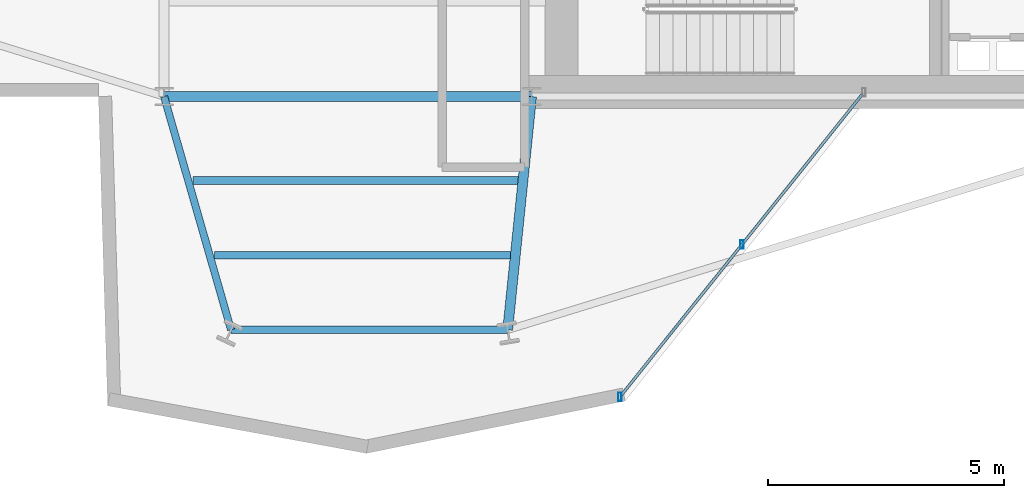
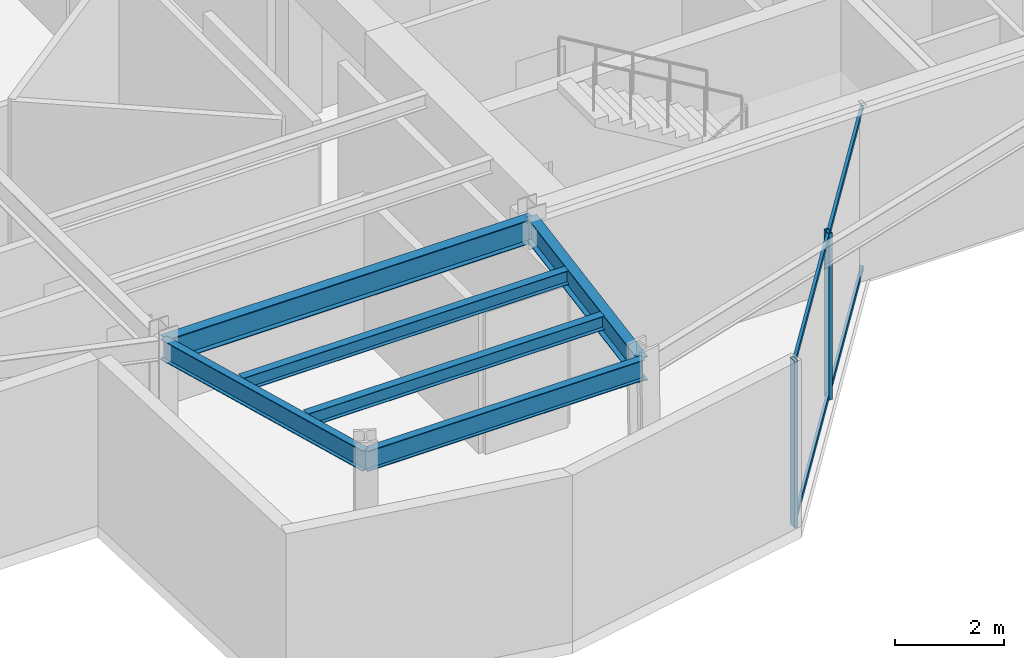
# One storey, part 5 of 23: 6 beams, 4 members, 1 element without a shape of its own.
"""IFC4 building model written with IfcOpenShell, lengths in metres."""

from ifc_helpers import new_model, si_unit, direction, frame, origin, origin_2d, place, context, subcontext, project, spatial, hollow_rectangle, i_section, extrude, material, layer, layer_set, material_profile, profile_set, type_object, element, aggregate, save


model = new_model("IFC4")

# Units and contexts
model_context = context("Model", 3, precision=1e-05, world=origin(), true_north=direction((0.0, 1.0)))
body_context = subcontext(model_context, "Body", "Model", "MODEL_VIEW")
ifc_project = project(units=[si_unit("LENGTHUNIT", "METRE"), si_unit("AREAUNIT", "SQUARE_METRE"), si_unit("VOLUMEUNIT", "CUBIC_METRE"), si_unit("PLANEANGLEUNIT", "RADIAN"), si_unit("MASSUNIT", "GRAM", prefix="KILO")], contexts=[model_context])

# Site, building, storey
site_placement = place(None, origin())
site = spatial("IfcSite", under=ifc_project, at=site_placement, CompositionType="ELEMENT")
building_placement = place(site_placement, origin())
building = spatial("IfcBuilding", under=site, at=building_placement, Name="Veymaron Broadcast Tower", CompositionType="ELEMENT")
storey_placement = place(building_placement, frame((0.0, 0.0, 252.60009765625)))
storey = spatial("IfcBuildingStorey", under=building, at=storey_placement, Name="L59", CompositionType="ELEMENT", Elevation=252.60009765625)

# Beams
ifc_material_1 = material(Name="Structural steel ASTM A992 Gr 50", Category="steel")
ifc_material_profile_1 = material_profile(ifc_material_1, i_section(OverallWidth=0.2099609375, OverallDepth=0.537109375, WebThickness=0.010986328125, FlangeThickness=0.017333984375, at=origin_2d()), Name="W530X101")
ifc_profile_set_1 = profile_set([ifc_material_profile_1], Name="Structural steel ASTM A992 Gr 50")
beam_type_1 = type_object("IfcBeamType", Name="BM-FG3", PredefinedType="BEAM", material=ifc_profile_set_1)
beam_1_placement = place(storey_placement, frame((31.199951171875, 16.0, 3.46142578125), z_axis=(1.0, 0.0, 0.0), x_axis=(0.0, 1.0, 0.0)))
element("IfcBeam", 1, at=beam_1_placement, inside=storey, type_object=beam_type_1, Name="L59 primary structural floor girder", PredefinedType="BEAM", context=body_context, shape_type="SweptSolid", body=[
    extrude(i_section(OverallWidth=0.2099609375, OverallDepth=0.537109375, WebThickness=0.010986328125, FlangeThickness=0.017333984375, at=origin_2d()), origin(), (0.0, 0.0, 1.0), 7.800048828125),
])
beam_2_placement = place(storey_placement, frame((39.0, 16.0, 3.46142578125), z_axis=(-0.102062466152, -0.994777991817, 0.0), x_axis=(0.994777991817, -0.102062466152, 0.0)))
element("IfcBeam", 2, at=beam_2_placement, inside=storey, type_object=beam_type_1, Name="L59 primary structural floor girder", PredefinedType="BEAM", context=body_context, shape_type="SweptSolid", body=[
    extrude(i_section(OverallWidth=0.2099609375, OverallDepth=0.537109375, WebThickness=0.010986328125, FlangeThickness=0.017333984375, at=origin_2d()), origin(), (0.0, 0.0, 1.0), 4.977783203125),
])
ifc_material_profile_2 = material_profile(ifc_material_1, i_section(OverallWidth=0.1650390625, OverallDepth=0.31005859375, WebThickness=0.005859375, FlangeThickness=0.009765625, at=origin_2d()), Name="W310X39")
ifc_profile_set_2 = profile_set([ifc_material_profile_2], Name="Structural steel ASTM A992 Gr 50")
beam_type_2 = type_object("IfcBeamType", Name="BM-JS3", PredefinedType="JOIST", material=ifc_profile_set_2)
beam_3_placement = place(storey_placement, frame((31.81201171875, 14.21728515625, 3.574951171875), z_axis=(1.0, 0.0, 0.0), x_axis=(0.0, 1.0, 0.0)))
element("IfcBeam", 3, at=beam_3_placement, inside=storey, type_object=beam_type_2, Name="L59 Arm-C secondary joist 1", PredefinedType="JOIST", context=body_context, shape_type="SweptSolid", body=[
    extrude(i_section(OverallWidth=0.1650390625, OverallDepth=0.31005859375, WebThickness=0.005859375, FlangeThickness=0.009765625, at=origin_2d()), origin(), (0.0, 0.0, 1.0), 6.905029296875),
])
beam_4_placement = place(storey_placement, frame((32.26708984375, 12.632568359375, 3.574951171875), z_axis=(1.0, 0.0, 0.0), x_axis=(0.0, 1.0, 0.0)))
element("IfcBeam", 4, at=beam_4_placement, inside=storey, type_object=beam_type_2, Name="L59 Arm-C secondary joist 2", PredefinedType="JOIST", context=body_context, shape_type="SweptSolid", body=[
    extrude(i_section(OverallWidth=0.1650390625, OverallDepth=0.31005859375, WebThickness=0.005859375, FlangeThickness=0.009765625, at=origin_2d()), origin(), (0.0, 0.0, 1.0), 6.28759765625),
])
ifc_material_profile_3 = material_profile(ifc_material_1, i_section(OverallWidth=0.154052734375, OverallDepth=0.458984375, WebThickness=0.009033203125, FlangeThickness=0.015380859375, at=origin_2d()), Name="W460X68")
ifc_profile_set_3 = profile_set([ifc_material_profile_3], Name="Structural steel ASTM A992 Gr 50")
beam_type_3 = type_object("IfcBeamType", Name="BM-SP2", PredefinedType="SPANDREL", material=ifc_profile_set_3)
beam_5_placement = place(storey_placement, frame((31.199951171875, 16.0, 3.50048828125), z_axis=(0.276072707657, -0.961136754103, 0.0), x_axis=(0.961136754103, 0.276072707657, 0.0)))
element("IfcBeam", 5, at=beam_5_placement, inside=storey, type_object=beam_type_3, Name="L59 primary structural floor girder", PredefinedType="SPANDREL", context=body_context, shape_type="SweptSolid", body=[
    extrude(i_section(OverallWidth=0.154052734375, OverallDepth=0.458984375, WebThickness=0.009033203125, FlangeThickness=0.015380859375, at=origin_2d()), origin(), (0.0, 0.0, 1.0), 5.152099609375),
])
beam_6_placement = place(storey_placement, frame((32.622314453125, 11.048095703125, 3.50048828125), z_axis=(1.0, 0.0, 0.0), x_axis=(0.0, 1.0, 0.0)))
element("IfcBeam", 6, at=beam_6_placement, inside=storey, type_object=beam_type_3, Name="L59 primary structural floor girder", PredefinedType="SPANDREL", context=body_context, shape_type="SweptSolid", body=[
    extrude(i_section(OverallWidth=0.154052734375, OverallDepth=0.458984375, WebThickness=0.009033203125, FlangeThickness=0.015380859375, at=origin_2d()), origin(), (0.0, 0.0, 1.0), 5.86962890625),
])

# Curtain wall, members
ifc_material_2 = material(Name="Anodised aluminium AA 6063-T6 and laminated low-E dark glass", Category="aluminium")
ifc_layer = layer(ifc_material_2, 0.179931640625)
ifc_layer_set = layer_set([ifc_layer], Name="Anodised aluminium AA 6063-T6 and laminated low-E dark glass")
curtain_wall_type = type_object("IfcCurtainWallType", Name="CW-SYS-05", PredefinedType="NOTDEFINED", material=ifc_layer_set)
curtain_wall_placement = place(storey_placement, origin())
curtain_wall = element("IfcCurtainWall", 7, at=curtain_wall_placement, inside=storey, type_object=curtain_wall_type, Name="L59 dark-glass curtain wall CW-L59-E20-1", PredefinedType="NOTDEFINED")
ifc_material_3 = material(Name="Anodised aluminium AA 6063-T6", Category="aluminium")
ifc_material_profile_4 = material_profile(ifc_material_3, hollow_rectangle(XDim=0.074951171875, YDim=0.179931640625, WallThickness=0.0048828125, at=origin_2d()), Name="AL180X75X5")
ifc_profile_set_4 = profile_set([ifc_material_profile_4], Name="Anodised aluminium AA 6063-T6")
member_type_1 = type_object("IfcMemberType", Name="CW-MUL-02", PredefinedType="MULLION", material=ifc_profile_set_4)
member_1_placement = place(storey_placement, frame((40.874755859375, 9.62548828125, 0.0), z_axis=(0.0, 0.0, 1.0), x_axis=(1.0, 0.0, 0.0)))
member_1 = element("IfcMember", 8, at=member_1_placement, type_object=member_type_1, Name="CW-L59-E20-1 mullion 0", PredefinedType="MULLION", context=body_context, shape_type="SweptSolid", body=[
    extrude(hollow_rectangle(XDim=0.074951171875, YDim=0.179931640625, WallThickness=0.0048828125, at=origin_2d()), origin(), (0.0, 0.0, 1.0), 3.72998046875),
])
member_2_placement = place(storey_placement, frame((43.46240234375, 12.8564453125, 0.0), z_axis=(0.0, 0.0, 1.0), x_axis=(1.0, 0.0, 0.0)))
member_2 = element("IfcMember", 9, at=member_2_placement, type_object=member_type_1, Name="CW-L59-E20-1 mullion 1", PredefinedType="MULLION", context=body_context, shape_type="SweptSolid", body=[
    extrude(hollow_rectangle(XDim=0.074951171875, YDim=0.179931640625, WallThickness=0.0048828125, at=origin_2d()), origin(), (0.0, 0.0, 1.0), 3.72998046875),
])
ifc_material_profile_5 = material_profile(ifc_material_3, hollow_rectangle(XDim=0.06005859375, YDim=0.1201171875, WallThickness=0.00390625, at=origin_2d()), Name="AL120X60X4")
ifc_profile_set_5 = profile_set([ifc_material_profile_5], Name="Anodised aluminium AA 6063-T6")
member_type_2 = type_object("IfcMemberType", Name="CW-TRN-02", PredefinedType="USERDEFINED", material=ifc_profile_set_5)
member_3_placement = place(storey_placement, frame((40.906005859375, 9.66455078125, 0.06982421875), z_axis=(0.62510994133, 0.780536713582, 0.0), x_axis=(-0.780536713582, 0.62510994133, 0.0)))
member_3 = element("IfcMember", 10, at=member_3_placement, type_object=member_type_2, Name="CW-L59-E20-1 transom B", ObjectType="TRANSOM", PredefinedType="USERDEFINED", context=body_context, shape_type="SweptSolid", body=[
    extrude(hollow_rectangle(XDim=0.06005859375, YDim=0.1201171875, WallThickness=0.00390625, at=origin_2d()), origin(), (0.0, 0.0, 1.0), 8.178955078125),
])
member_4_placement = place(storey_placement, frame((40.906005859375, 9.66455078125, 3.659912109375), z_axis=(0.62510994133, 0.780536713582, 0.0), x_axis=(-0.780536713582, 0.62510994133, 0.0)))
member_4 = element("IfcMember", 11, at=member_4_placement, type_object=member_type_2, Name="CW-L59-E20-1 transom T", ObjectType="TRANSOM", PredefinedType="USERDEFINED", context=body_context, shape_type="SweptSolid", body=[
    extrude(hollow_rectangle(XDim=0.06005859375, YDim=0.1201171875, WallThickness=0.00390625, at=origin_2d()), origin(), (0.0, 0.0, 1.0), 8.178955078125),
])
aggregate(curtain_wall, [member_1, member_2, member_3, member_4])

save(model, "model.ifc")
